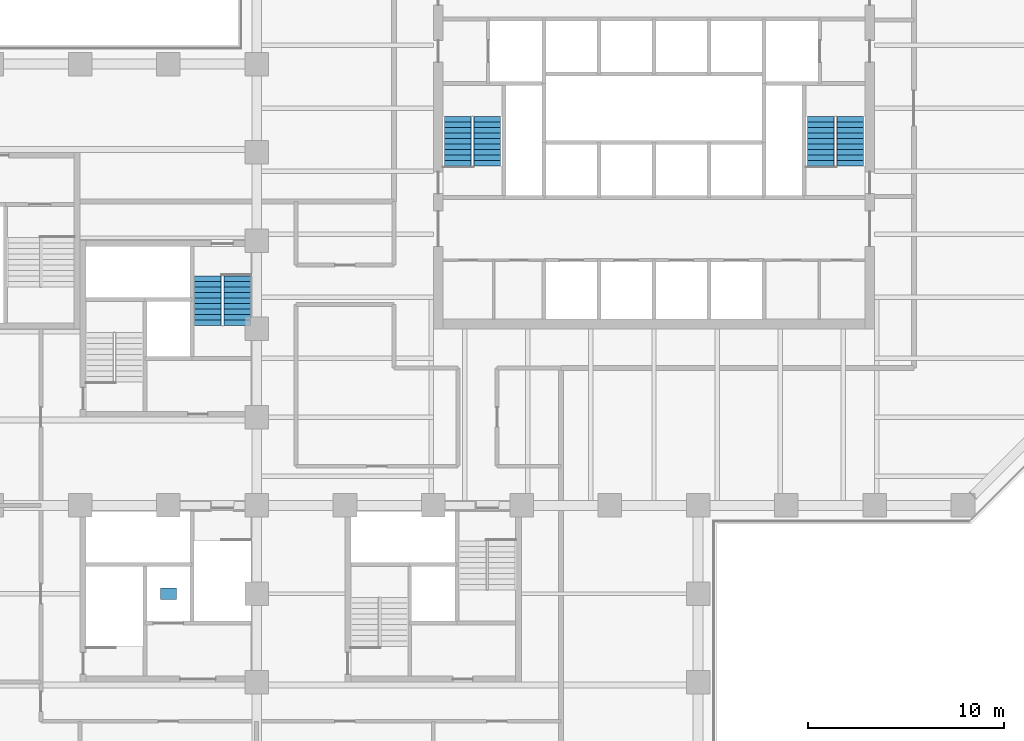
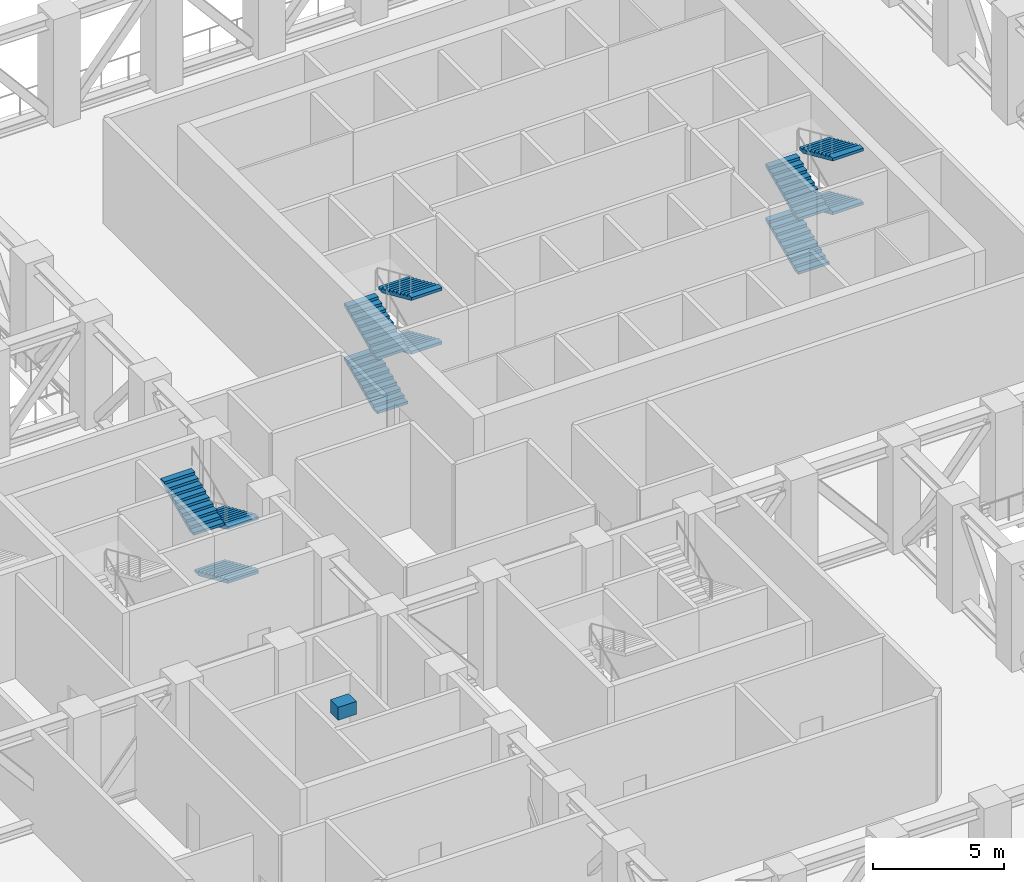
# One storey, part 9 of 16: 11 stair flights, 1 discrete accessory, 3 elements without a shape of their own.
"""IFC4 building model written with IfcOpenShell, lengths in metres."""

from ifc_helpers import new_model, si_unit, direction, frame, origin, origin_2d, place, context, subcontext, project, spatial, polyline, rectangle, outline, extrude, material, type_object, element, aggregate, save


model = new_model("IFC4")

# Units and contexts
model_context = context("Model", 3, precision=1e-05, world=origin(), true_north=direction((0.0, 1.0)))
body_context = subcontext(model_context, "Body", "Model", "MODEL_VIEW")
ifc_project = project(units=[si_unit("LENGTHUNIT", "METRE"), si_unit("AREAUNIT", "SQUARE_METRE"), si_unit("VOLUMEUNIT", "CUBIC_METRE"), si_unit("PLANEANGLEUNIT", "RADIAN"), si_unit("MASSUNIT", "GRAM", prefix="KILO")], contexts=[model_context])

# Site, building, storey
site_placement = place(None, origin())
site = spatial("IfcSite", under=ifc_project, at=site_placement, CompositionType="ELEMENT")
building_placement = place(site_placement, origin())
building = spatial("IfcBuilding", under=site, at=building_placement, Name="Quoin Convention Tower", CompositionType="ELEMENT")
storey_placement = place(building_placement, frame((0.0, 0.0, 69.300048828125)))
storey = spatial("IfcBuildingStorey", under=building, at=storey_placement, Name="L18", CompositionType="ELEMENT", Elevation=69.300048828125)

# Stair, stair flights
ifc_material_1 = material(Name="Concrete C40", Category="concrete")
stair_type = type_object("IfcStairType", Name="Exit stair four-flight 1350", PredefinedType="DOUBLE_RETURN_STAIR", material=ifc_material_1)
stair_1_placement = place(storey_placement, origin())
stair_1 = element("IfcStair", 1, at=stair_1_placement, inside=storey, type_object=stair_type, Name="SD1 L18", PredefinedType="DOUBLE_RETURN_STAIR")
stair_flight_type = type_object("IfcStairFlightType", Name="Stair flight 1350", PredefinedType="STRAIGHT", material=ifc_material_1)
stair_flight_1_placement = place(storey_placement, frame((46.25, 57.800048828125, 0.0), z_axis=(0.0, 0.0, 1.0), x_axis=(0.0, 1.0, 0.0)))
stair_flight_1 = element("IfcStairFlight", 2, at=stair_flight_1_placement, type_object=stair_flight_type, Name="ST1 flight 1", NumberOfRisers=10, NumberOfTreads=9, PredefinedType="STRAIGHT", RiserHeight=0.125, TreadLength=0.28, context=body_context, shape_type="SweptSolid", body=[
    extrude(outline(polyline([(0.0, 0.0), (0.0, 0.125), (0.280029296875, 0.125), (0.280029296875, 0.25), (0.56005859375, 0.25), (0.56005859375, 0.375), (0.840087890625, 0.375), (0.840087890625, 0.5), (1.1201171875, 0.5), (1.1201171875, 0.625), (1.39990234375, 0.625), (1.39990234375, 0.75), (1.679931640625, 0.75), (1.679931640625, 0.875), (1.9599609375, 0.875), (1.9599609375, 1.0), (2.239990234375, 1.0), (2.239990234375, 1.125), (2.52001953125, 1.125), (2.52001953125, 1.25), (2.52001953125, 0.993408203125), (0.294677734375, 0.0), (0.0, 0.0)])), frame((0.0, 0.675048828125, 0.0), z_axis=(0.0, -1.0, 0.0), x_axis=(1.0, 0.0, 0.0)), (0.0, 0.0, 1.0), 1.35009765625),
])
stair_flight_2_placement = place(storey_placement, frame((47.75, 60.320068359375, 1.25), z_axis=(0.0, 0.0, 1.0), x_axis=(0.0, -1.0, 0.0)))
stair_flight_2 = element("IfcStairFlight", 3, at=stair_flight_2_placement, type_object=stair_flight_type, Name="ST1 flight 2", NumberOfRisers=10, NumberOfTreads=9, PredefinedType="STRAIGHT", RiserHeight=0.125, TreadLength=0.28, context=body_context, shape_type="SweptSolid", body=[
    extrude(outline(polyline([(0.0, 0.0), (0.0, 0.125), (0.280029296875, 0.125), (0.280029296875, 0.25), (0.56005859375, 0.25), (0.56005859375, 0.375), (0.840087890625, 0.375), (0.840087890625, 0.5), (1.1201171875, 0.5), (1.1201171875, 0.625), (1.39990234375, 0.625), (1.39990234375, 0.75), (1.679931640625, 0.75), (1.679931640625, 0.875), (1.9599609375, 0.875), (1.9599609375, 1.0), (2.239990234375, 1.0), (2.239990234375, 1.125), (2.52001953125, 1.125), (2.52001953125, 1.25), (2.52001953125, 0.993408203125), (0.294677734375, 0.0), (0.0, 0.0)])), frame((0.0, 0.675048828125, 0.0), z_axis=(0.0, -1.0, 0.0), x_axis=(1.0, 0.0, 0.0)), (0.0, 0.0, 1.0), 1.35009765625),
])
stair_flight_3_placement = place(storey_placement, frame((46.25, 57.800048828125, 2.5), z_axis=(0.0, 0.0, 1.0), x_axis=(0.0, 1.0, 0.0)))
stair_flight_3 = element("IfcStairFlight", 4, at=stair_flight_3_placement, type_object=stair_flight_type, Name="ST1 flight 3", NumberOfRisers=10, NumberOfTreads=9, PredefinedType="STRAIGHT", RiserHeight=0.125, TreadLength=0.28, context=body_context, shape_type="SweptSolid", body=[
    extrude(outline(polyline([(0.0, 0.0), (0.0, 0.125), (0.280029296875, 0.125), (0.280029296875, 0.25), (0.56005859375, 0.25), (0.56005859375, 0.375), (0.840087890625, 0.375), (0.840087890625, 0.5), (1.1201171875, 0.5), (1.1201171875, 0.625), (1.39990234375, 0.625), (1.39990234375, 0.75), (1.679931640625, 0.75), (1.679931640625, 0.875), (1.9599609375, 0.875), (1.9599609375, 1.0), (2.239990234375, 1.0), (2.239990234375, 1.125), (2.52001953125, 1.125), (2.52001953125, 1.25), (2.52001953125, 0.993408203125), (0.294677734375, 0.0), (0.0, 0.0)])), frame((0.0, 0.675048828125, 0.0), z_axis=(0.0, -1.0, 0.0), x_axis=(1.0, 0.0, 0.0)), (0.0, 0.0, 1.0), 1.35009765625),
])
stair_flight_4_placement = place(storey_placement, frame((47.75, 60.320068359375, 3.75), z_axis=(0.0, 0.0, 1.0), x_axis=(0.0, -1.0, 0.0)))
stair_flight_4 = element("IfcStairFlight", 5, at=stair_flight_4_placement, type_object=stair_flight_type, Name="ST1 flight 4", NumberOfRisers=10, NumberOfTreads=9, PredefinedType="STRAIGHT", RiserHeight=0.125, TreadLength=0.28, context=body_context, shape_type="SweptSolid", body=[
    extrude(outline(polyline([(0.0, 0.0), (0.0, 0.125), (0.280029296875, 0.125), (0.280029296875, 0.25), (0.56005859375, 0.25), (0.56005859375, 0.375), (0.840087890625, 0.375), (0.840087890625, 0.5), (1.1201171875, 0.5), (1.1201171875, 0.625), (1.39990234375, 0.625), (1.39990234375, 0.75), (1.679931640625, 0.75), (1.679931640625, 0.875), (1.9599609375, 0.875), (1.9599609375, 1.0), (2.239990234375, 1.0), (2.239990234375, 1.125), (2.52001953125, 1.125), (2.52001953125, 1.25), (2.52001953125, 0.993408203125), (0.294677734375, 0.0), (0.0, 0.0)])), frame((0.0, 0.675048828125, 0.0), z_axis=(0.0, -1.0, 0.0), x_axis=(1.0, 0.0, 0.0)), (0.0, 0.0, 1.0), 1.35009765625),
])
aggregate(stair_1, [stair_flight_1, stair_flight_2, stair_flight_3, stair_flight_4])

stair_2_placement = place(storey_placement, origin())
stair_2 = element("IfcStair", 6, at=stair_2_placement, inside=storey, type_object=stair_type, Name="SD2 L18", PredefinedType="DOUBLE_RETURN_STAIR")
stair_flight_5_placement = place(storey_placement, frame((64.75, 57.800048828125, 0.0), z_axis=(0.0, 0.0, 1.0), x_axis=(0.0, 1.0, 0.0)))
stair_flight_5 = element("IfcStairFlight", 7, at=stair_flight_5_placement, type_object=stair_flight_type, Name="ST2 flight 1", NumberOfRisers=10, NumberOfTreads=9, PredefinedType="STRAIGHT", RiserHeight=0.125, TreadLength=0.28, context=body_context, shape_type="SweptSolid", body=[
    extrude(outline(polyline([(0.0, 0.0), (0.0, 0.125), (0.280029296875, 0.125), (0.280029296875, 0.25), (0.56005859375, 0.25), (0.56005859375, 0.375), (0.840087890625, 0.375), (0.840087890625, 0.5), (1.1201171875, 0.5), (1.1201171875, 0.625), (1.39990234375, 0.625), (1.39990234375, 0.75), (1.679931640625, 0.75), (1.679931640625, 0.875), (1.9599609375, 0.875), (1.9599609375, 1.0), (2.239990234375, 1.0), (2.239990234375, 1.125), (2.52001953125, 1.125), (2.52001953125, 1.25), (2.52001953125, 0.993408203125), (0.294677734375, 0.0), (0.0, 0.0)])), frame((0.0, 0.675048828125, 0.0), z_axis=(0.0, -1.0, 0.0), x_axis=(1.0, 0.0, 0.0)), (0.0, 0.0, 1.0), 1.35009765625),
])
stair_flight_6_placement = place(storey_placement, frame((66.25, 60.320068359375, 1.25), z_axis=(0.0, 0.0, 1.0), x_axis=(0.0, -1.0, 0.0)))
stair_flight_6 = element("IfcStairFlight", 8, at=stair_flight_6_placement, type_object=stair_flight_type, Name="ST2 flight 2", NumberOfRisers=10, NumberOfTreads=9, PredefinedType="STRAIGHT", RiserHeight=0.125, TreadLength=0.28, context=body_context, shape_type="SweptSolid", body=[
    extrude(outline(polyline([(0.0, 0.0), (0.0, 0.125), (0.280029296875, 0.125), (0.280029296875, 0.25), (0.56005859375, 0.25), (0.56005859375, 0.375), (0.840087890625, 0.375), (0.840087890625, 0.5), (1.1201171875, 0.5), (1.1201171875, 0.625), (1.39990234375, 0.625), (1.39990234375, 0.75), (1.679931640625, 0.75), (1.679931640625, 0.875), (1.9599609375, 0.875), (1.9599609375, 1.0), (2.239990234375, 1.0), (2.239990234375, 1.125), (2.52001953125, 1.125), (2.52001953125, 1.25), (2.52001953125, 0.993408203125), (0.294677734375, 0.0), (0.0, 0.0)])), frame((0.0, 0.675048828125, 0.0), z_axis=(0.0, -1.0, 0.0), x_axis=(1.0, 0.0, 0.0)), (0.0, 0.0, 1.0), 1.35009765625),
])
stair_flight_7_placement = place(storey_placement, frame((64.75, 57.800048828125, 2.5), z_axis=(0.0, 0.0, 1.0), x_axis=(0.0, 1.0, 0.0)))
stair_flight_7 = element("IfcStairFlight", 9, at=stair_flight_7_placement, type_object=stair_flight_type, Name="ST2 flight 3", NumberOfRisers=10, NumberOfTreads=9, PredefinedType="STRAIGHT", RiserHeight=0.125, TreadLength=0.28, context=body_context, shape_type="SweptSolid", body=[
    extrude(outline(polyline([(0.0, 0.0), (0.0, 0.125), (0.280029296875, 0.125), (0.280029296875, 0.25), (0.56005859375, 0.25), (0.56005859375, 0.375), (0.840087890625, 0.375), (0.840087890625, 0.5), (1.1201171875, 0.5), (1.1201171875, 0.625), (1.39990234375, 0.625), (1.39990234375, 0.75), (1.679931640625, 0.75), (1.679931640625, 0.875), (1.9599609375, 0.875), (1.9599609375, 1.0), (2.239990234375, 1.0), (2.239990234375, 1.125), (2.52001953125, 1.125), (2.52001953125, 1.25), (2.52001953125, 0.993408203125), (0.294677734375, 0.0), (0.0, 0.0)])), frame((0.0, 0.675048828125, 0.0), z_axis=(0.0, -1.0, 0.0), x_axis=(1.0, 0.0, 0.0)), (0.0, 0.0, 1.0), 1.35009765625),
])
stair_flight_8_placement = place(storey_placement, frame((66.25, 60.320068359375, 3.75), z_axis=(0.0, 0.0, 1.0), x_axis=(0.0, -1.0, 0.0)))
stair_flight_8 = element("IfcStairFlight", 10, at=stair_flight_8_placement, type_object=stair_flight_type, Name="ST2 flight 4", NumberOfRisers=10, NumberOfTreads=9, PredefinedType="STRAIGHT", RiserHeight=0.125, TreadLength=0.28, context=body_context, shape_type="SweptSolid", body=[
    extrude(outline(polyline([(0.0, 0.0), (0.0, 0.125), (0.280029296875, 0.125), (0.280029296875, 0.25), (0.56005859375, 0.25), (0.56005859375, 0.375), (0.840087890625, 0.375), (0.840087890625, 0.5), (1.1201171875, 0.5), (1.1201171875, 0.625), (1.39990234375, 0.625), (1.39990234375, 0.75), (1.679931640625, 0.75), (1.679931640625, 0.875), (1.9599609375, 0.875), (1.9599609375, 1.0), (2.239990234375, 1.0), (2.239990234375, 1.125), (2.52001953125, 1.125), (2.52001953125, 1.25), (2.52001953125, 0.993408203125), (0.294677734375, 0.0), (0.0, 0.0)])), frame((0.0, 0.675048828125, 0.0), z_axis=(0.0, -1.0, 0.0), x_axis=(1.0, 0.0, 0.0)), (0.0, 0.0, 1.0), 1.35009765625),
])
aggregate(stair_2, [stair_flight_5, stair_flight_6, stair_flight_7, stair_flight_8])

stair_3_placement = place(storey_placement, origin())
stair_3 = element("IfcStair", 11, at=stair_3_placement, inside=storey, type_object=stair_type, Name="SD4 L18", PredefinedType="DOUBLE_RETURN_STAIR")
stair_flight_9_placement = place(storey_placement, frame((35.0, 52.199951171875, 0.0), z_axis=(0.0, 0.0, 1.0), x_axis=(0.0, -1.0, 0.0)))
stair_flight_9 = element("IfcStairFlight", 12, at=stair_flight_9_placement, type_object=stair_flight_type, Name="ST4 flight 1", NumberOfRisers=10, NumberOfTreads=9, PredefinedType="STRAIGHT", RiserHeight=0.125, TreadLength=0.28, context=body_context, shape_type="SweptSolid", body=[
    extrude(outline(polyline([(0.0, 0.0), (0.0, 0.125), (0.280029296875, 0.125), (0.280029296875, 0.25), (0.56005859375, 0.25), (0.56005859375, 0.375), (0.840087890625, 0.375), (0.840087890625, 0.5), (1.1201171875, 0.5), (1.1201171875, 0.625), (1.39990234375, 0.625), (1.39990234375, 0.75), (1.679931640625, 0.75), (1.679931640625, 0.875), (1.9599609375, 0.875), (1.9599609375, 1.0), (2.239990234375, 1.0), (2.239990234375, 1.125), (2.52001953125, 1.125), (2.52001953125, 1.25), (2.52001953125, 0.993408203125), (0.294677734375, 0.0), (0.0, 0.0)])), frame((0.0, 0.675048828125, 0.0), z_axis=(0.0, -1.0, 0.0), x_axis=(1.0, 0.0, 0.0)), (0.0, 0.0, 1.0), 1.35009765625),
])
stair_flight_10_placement = place(storey_placement, frame((35.0, 52.199951171875, 2.5), z_axis=(0.0, 0.0, 1.0), x_axis=(0.0, -1.0, 0.0)))
stair_flight_10 = element("IfcStairFlight", 13, at=stair_flight_10_placement, type_object=stair_flight_type, Name="ST4 flight 3", NumberOfRisers=10, NumberOfTreads=9, PredefinedType="STRAIGHT", RiserHeight=0.125, TreadLength=0.28, context=body_context, shape_type="SweptSolid", body=[
    extrude(outline(polyline([(0.0, 0.0), (0.0, 0.125), (0.280029296875, 0.125), (0.280029296875, 0.25), (0.56005859375, 0.25), (0.56005859375, 0.375), (0.840087890625, 0.375), (0.840087890625, 0.5), (1.1201171875, 0.5), (1.1201171875, 0.625), (1.39990234375, 0.625), (1.39990234375, 0.75), (1.679931640625, 0.75), (1.679931640625, 0.875), (1.9599609375, 0.875), (1.9599609375, 1.0), (2.239990234375, 1.0), (2.239990234375, 1.125), (2.52001953125, 1.125), (2.52001953125, 1.25), (2.52001953125, 0.993408203125), (0.294677734375, 0.0), (0.0, 0.0)])), frame((0.0, 0.675048828125, 0.0), z_axis=(0.0, -1.0, 0.0), x_axis=(1.0, 0.0, 0.0)), (0.0, 0.0, 1.0), 1.35009765625),
])
stair_flight_11_placement = place(storey_placement, frame((33.5, 49.679931640625, 3.75), z_axis=(0.0, 0.0, 1.0), x_axis=(0.0, 1.0, 0.0)))
stair_flight_11 = element("IfcStairFlight", 14, at=stair_flight_11_placement, type_object=stair_flight_type, Name="ST4 flight 4", NumberOfRisers=10, NumberOfTreads=9, PredefinedType="STRAIGHT", RiserHeight=0.125, TreadLength=0.28, context=body_context, shape_type="SweptSolid", body=[
    extrude(outline(polyline([(0.0, 0.0), (0.0, 0.125), (0.280029296875, 0.125), (0.280029296875, 0.25), (0.56005859375, 0.25), (0.56005859375, 0.375), (0.840087890625, 0.375), (0.840087890625, 0.5), (1.1201171875, 0.5), (1.1201171875, 0.625), (1.39990234375, 0.625), (1.39990234375, 0.75), (1.679931640625, 0.75), (1.679931640625, 0.875), (1.9599609375, 0.875), (1.9599609375, 1.0), (2.239990234375, 1.0), (2.239990234375, 1.125), (2.52001953125, 1.125), (2.52001953125, 1.25), (2.52001953125, 0.993408203125), (0.294677734375, 0.0), (0.0, 0.0)])), frame((0.0, 0.675048828125, 0.0), z_axis=(0.0, -1.0, 0.0), x_axis=(1.0, 0.0, 0.0)), (0.0, 0.0, 1.0), 1.35009765625),
])
aggregate(stair_3, [stair_flight_9, stair_flight_10, stair_flight_11])

# Discrete accessory
ifc_material_2 = material(Name="Steel Grade 300", Category="steel")
discrete_accessory_placement = place(storey_placement, frame((31.5, 36.0, 4.25), z_axis=(0.0, 0.0, 1.0), x_axis=(1.0, 0.0, 0.0)))
element("IfcDiscreteAccessory", 15, at=discrete_accessory_placement, inside=storey, material=ifc_material_2, Name="LIFT MACHINE GL1", ObjectType="Lift machine", PredefinedType="USERDEFINED", context=body_context, shape_type="SweptSolid", body=[
    extrude(rectangle(XDim=0.800048828125, YDim=0.60009765625, at=origin_2d()), origin(), (0.0, 0.0, 1.0), 0.60009765625),
])

save(model, "model.ifc")
